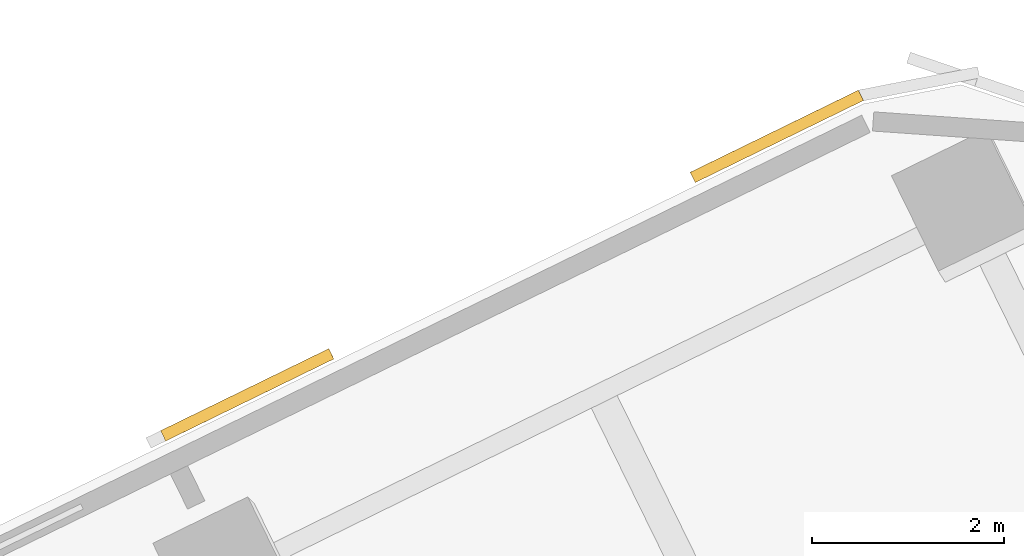
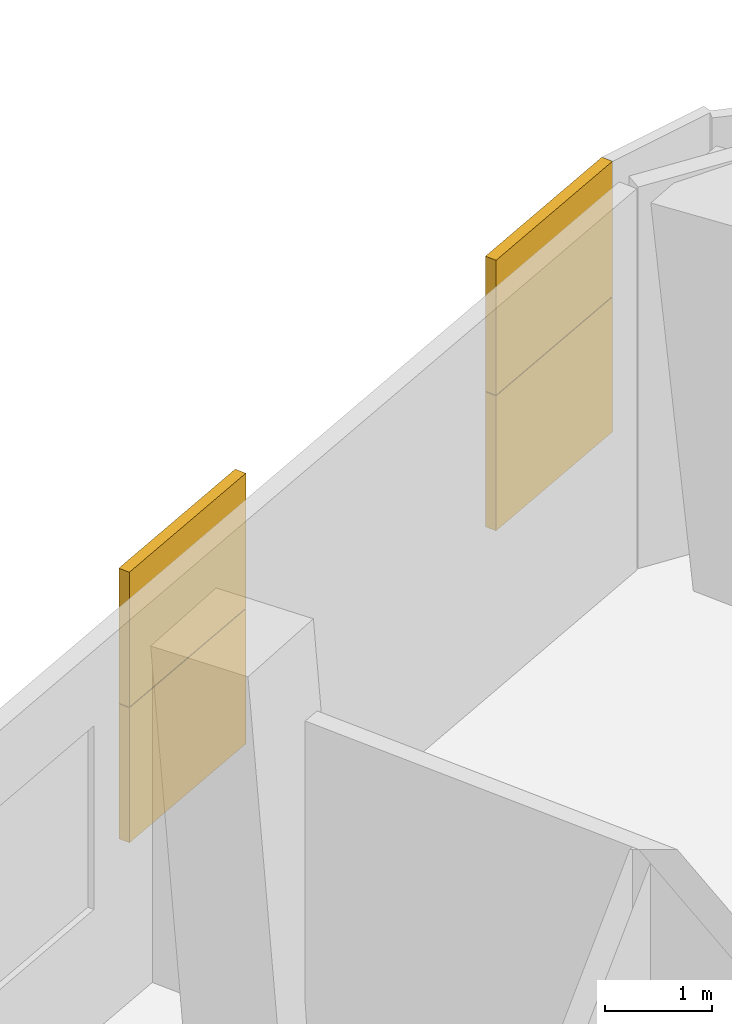
# One storey, part 22 of 23: 1 covering.
"""IFC4 building model written with IfcOpenShell, lengths in metres."""

from ifc_helpers import new_model, si_unit, direction, frame, origin, origin_2d, place, context, subcontext, project, spatial, rectangle, extrude, material, layer, layer_set, type_object, element, save


model = new_model("IFC4")

# Units and contexts
model_context = context("Model", 3, precision=1e-05, world=origin(), true_north=direction((0.0, 1.0)))
body_context = subcontext(model_context, "Body", "Model", "MODEL_VIEW")
ifc_project = project(units=[si_unit("LENGTHUNIT", "METRE"), si_unit("AREAUNIT", "SQUARE_METRE"), si_unit("VOLUMEUNIT", "CUBIC_METRE"), si_unit("PLANEANGLEUNIT", "RADIAN"), si_unit("MASSUNIT", "GRAM", prefix="KILO")], contexts=[model_context])

# Site, building, storey
site_placement = place(None, origin())
site = spatial("IfcSite", under=ifc_project, at=site_placement, CompositionType="ELEMENT")
building_placement = place(site_placement, origin())
building = spatial("IfcBuilding", under=site, at=building_placement, Name="Tamarind Cross Interchange Tower", CompositionType="ELEMENT")
storey_placement = place(building_placement, frame((0.0, 0.0, 128.5)))
storey = spatial("IfcBuildingStorey", under=building, at=storey_placement, Name="L31", CompositionType="ELEMENT", Elevation=128.5)

# Covering
ifc_material = material(Name="Terracotta", Category="masonry")
ifc_layer = layer(ifc_material, 0.1201171875)
ifc_layer_set = layer_set([ifc_layer], Name="Terracotta")
covering_type = type_object("IfcCoveringType", Name="Terracotta baguette screen unit", PredefinedType="MOLDING", material=ifc_layer_set)
covering_placement = place(storey_placement, origin())
element("IfcCovering", 1, at=covering_placement, inside=storey, type_object=covering_type, Name="SCR-L31-09-00", PredefinedType="MOLDING", context=body_context, shape_type="SweptSolid", body=[
    extrude(rectangle(XDim=0.760009765625, YDim=0.1201171875, at=origin_2d()), frame((41.3408203125, 17.380615234375, 1.404052734375), z_axis=(0.0, 0.0, 1.0), x_axis=(-0.898690697479, -0.438582979909, 0.0)), (0.0, 0.0, 1.0), 1.5419921875),
    extrude(rectangle(XDim=1.2001953125, YDim=0.1201171875, at=origin_2d()), frame((40.468994140625, 16.955078125, 1.404052734375), z_axis=(0.0, 0.0, 1.0), x_axis=(-0.898690697479, -0.438582979909, 0.0)), (0.0, 0.0, 1.0), 1.5419921875),
    extrude(rectangle(XDim=0.619873046875, YDim=0.1201171875, at=origin_2d()), frame((35.8857421875, 14.71826171875, 1.404052734375), z_axis=(0.0, 0.0, 1.0), x_axis=(-0.898690697479, -0.438582979909, 0.0)), (0.0, 0.0, 1.0), 1.5419921875),
    extrude(rectangle(XDim=1.340576171875, YDim=0.1201171875, at=origin_2d()), frame((35.013916015625, 14.292724609375, 1.404052734375), z_axis=(0.0, 0.0, 1.0), x_axis=(-0.898690697479, -0.438582979909, 0.0)), (0.0, 0.0, 1.0), 1.5419921875),
    extrude(rectangle(XDim=1.510009765625, YDim=0.1201171875, at=origin_2d()), frame((41.00390625, 17.216064453125, 2.9541015625), z_axis=(0.0, 0.0, 1.0), x_axis=(-0.898690697479, -0.438582979909, 0.0)), (0.0, 0.0, 1.0), 1.5419921875),
    extrude(rectangle(XDim=0.4501953125, YDim=0.1201171875, at=origin_2d()), frame((40.132080078125, 16.79052734375, 2.9541015625), z_axis=(0.0, 0.0, 1.0), x_axis=(-0.898690697479, -0.438582979909, 0.0)), (0.0, 0.0, 1.0), 1.5419921875),
    extrude(rectangle(XDim=1.369873046875, YDim=0.1201171875, at=origin_2d()), frame((35.548583984375, 14.5537109375, 2.9541015625), z_axis=(0.0, 0.0, 1.0), x_axis=(-0.898690697479, -0.438582979909, 0.0)), (0.0, 0.0, 1.0), 1.5419921875),
    extrude(rectangle(XDim=0.590576171875, YDim=0.1201171875, at=origin_2d()), frame((34.6767578125, 14.12841796875, 2.9541015625), z_axis=(0.0, 0.0, 1.0), x_axis=(-0.898690697479, -0.438582979909, 0.0)), (0.0, 0.0, 1.0), 1.5419921875),
])

save(model, "model.ifc")
